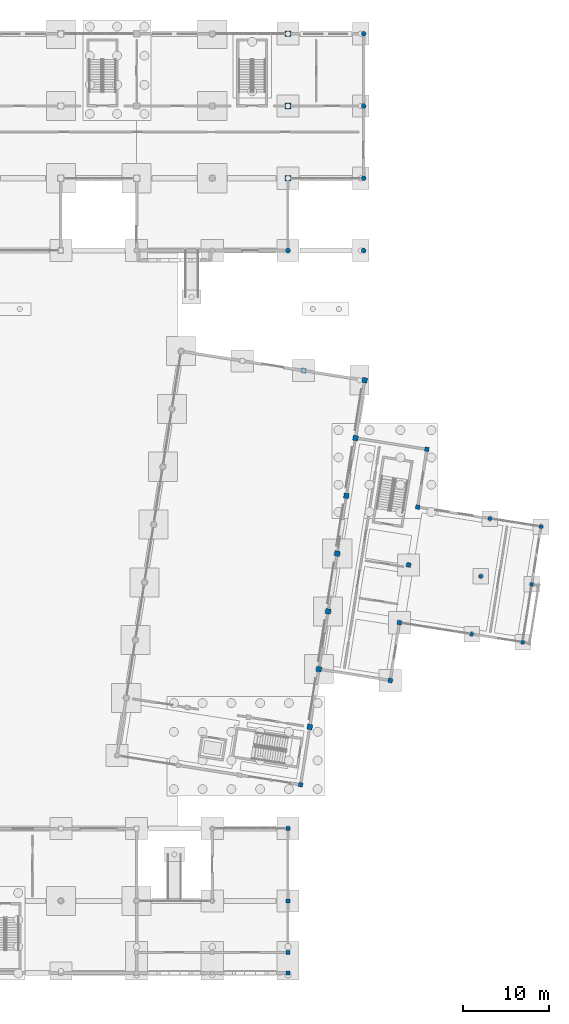
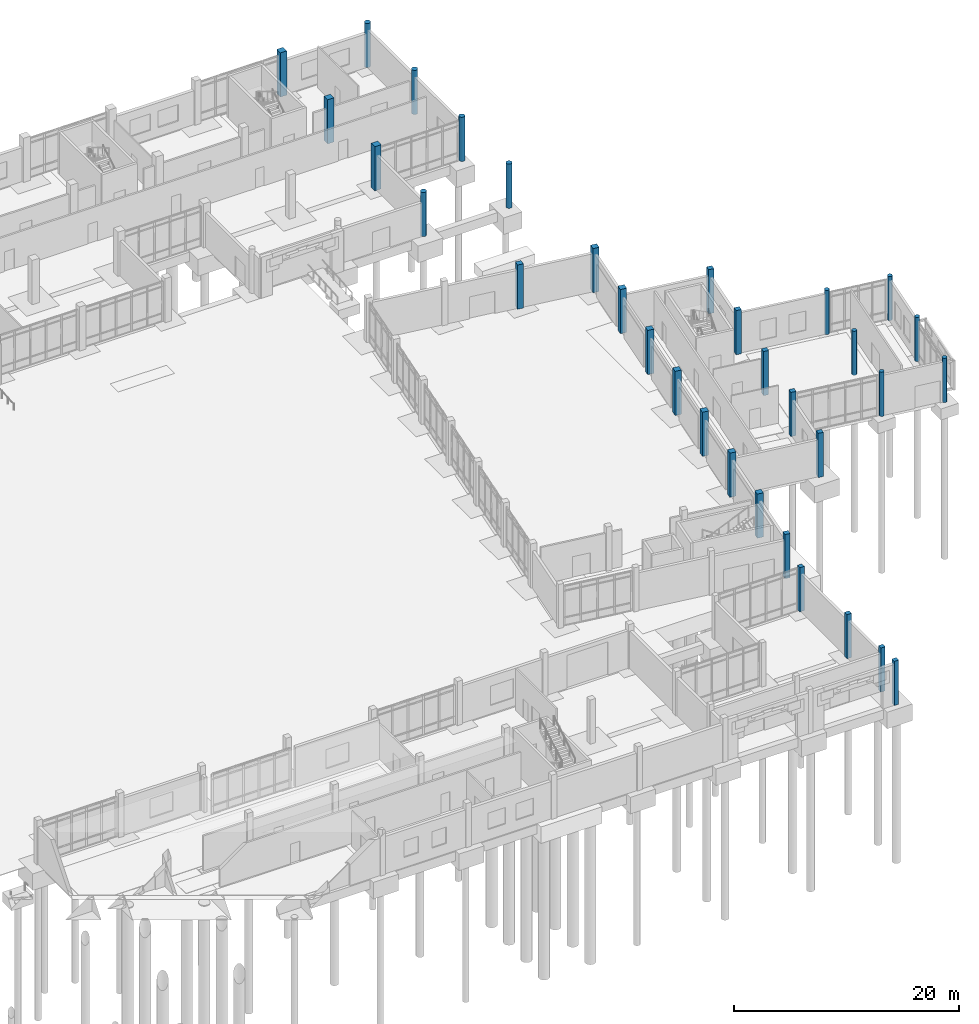
# One storey, part 7 of 72: 32 columns.
"""IFC4 building model written with IfcOpenShell, lengths in metres."""

from ifc_helpers import new_model, si_unit, direction, frame, origin, origin_2d, place, context, subcontext, project, spatial, rectangle, circle, extrude, material, material_profile, profile_set, type_object, element, save


model = new_model("IFC4")

# Units and contexts
model_context = context("Model", 3, precision=1e-05, world=origin(), true_north=direction((0.0, 1.0)))
body_context = subcontext(model_context, "Body", "Model", "MODEL_VIEW")
ifc_project = project(units=[si_unit("LENGTHUNIT", "METRE"), si_unit("AREAUNIT", "SQUARE_METRE"), si_unit("VOLUMEUNIT", "CUBIC_METRE"), si_unit("PLANEANGLEUNIT", "RADIAN"), si_unit("MASSUNIT", "GRAM", prefix="KILO")], contexts=[model_context])

# Site, building, storey
site_placement = place(None, origin())
site = spatial("IfcSite", under=ifc_project, at=site_placement, CompositionType="ELEMENT")
building_placement = place(site_placement, origin())
building = spatial("IfcBuilding", under=site, at=building_placement, Name="Cinderway Yard Community Centre", CompositionType="ELEMENT")
storey_placement = place(building_placement, origin())
storey = spatial("IfcBuildingStorey", under=building, at=storey_placement, Name="L00", CompositionType="ELEMENT", Elevation=0.0)

# Columns
ifc_material = material(Name="Concrete C40/50", Category="concrete")
ifc_material_profile_1 = material_profile(ifc_material, rectangle(XDim=0.449951171875, YDim=0.449951171875, at=origin_2d()), Name="Concrete C40/50")
ifc_profile_set_1 = profile_set([ifc_material_profile_1], Name="Concrete C40/50")
column_type_1 = type_object("IfcColumnType", Name="STR-COL-RC450", PredefinedType="COLUMN", material=ifc_profile_set_1)
for number, where, z_axis, x_axis, name in (
    (1, (136.800048828125, 6.0, 0.0), (0.0, 0.0, 1.0), (1.0, 0.0, 0.0), "Column V5-C-09 L00"),
    (2, (136.800048828125, 8.39990234375, 0.0), (0.0, 0.0, 1.0), (1.0, 0.0, 0.0), "Column V5-C-10 L00"),
    (3, (136.800048828125, 14.39990234375, 0.0), (0.0, 0.0, 1.0), (1.0, 0.0, 0.0), "Column V5-C-11 L00"),
    (4, (136.800048828125, 22.800048828125, 0.0), (0.0, 0.0, 1.0), (1.0, 0.0, 0.0), "Column V5-C-12 L00"),
):
    element("IfcColumn", number, at=place(storey_placement, frame(where, z_axis=z_axis, x_axis=x_axis)), inside=storey, type_object=column_type_1, Name=name, PredefinedType="COLUMN", context=body_context, shape_type="SweptSolid", body=[
        extrude(rectangle(XDim=0.449951171875, YDim=0.449951171875, at=origin_2d()), origin(), (0.0, 0.0, 1.0), 4.800048828125),
    ])
ifc_material_profile_2 = material_profile(ifc_material, rectangle(XDim=0.5, YDim=0.5, at=origin_2d()), Name="Concrete C40/50")
ifc_profile_set_2 = profile_set([ifc_material_profile_2], Name="Concrete C40/50")
column_type_2 = type_object("IfcColumnType", Name="STR-COL-RC500", PredefinedType="COLUMN", material=ifc_profile_set_2)
for number, where, z_axis, x_axis, name in (
    (5, (148.694091796875, 40.02294921875, 0.0), (0.0, 0.0, 1.0), (0.987688340595, -0.15643446504, 0.0), "Column V2-CE-01 L00"),
    (6, (149.758056640625, 46.739990234375, 0.0), (0.0, 0.0, 1.0), (0.987688340595, -0.15643446504, 0.0), "Column V2-CE-02 L00"),
    (7, (150.822021484375, 53.4560546875, 0.0), (0.0, 0.0, 1.0), (0.987688340595, -0.15643446504, 0.0), "Column V2-CE-03 L00"),
    (8, (151.885986328125, 60.172119140625, 0.0), (0.0, 0.0, 1.0), (0.987688340595, -0.15643446504, 0.0), "Column V2-CE-04 L00"),
    (9, (152.948974609375, 66.887939453125, 0.0), (0.0, 0.0, 1.0), (0.987688340595, -0.15643446504, 0.0), "Column V2-CE-05 L00"),
    (10, (138.27001953125, 27.905029296875, 0.0), (0.0, 0.0, 1.0), (0.987688340595, -0.15643446504, 0.0), "Column V2-CS-216 L00"),
):
    element("IfcColumn", number, at=place(storey_placement, frame(where, z_axis=z_axis, x_axis=x_axis)), inside=storey, type_object=column_type_2, Name=name, PredefinedType="COLUMN", context=body_context, shape_type="SweptSolid", body=[
        extrude(rectangle(XDim=0.5, YDim=0.5, at=origin_2d()), origin(), (0.0, 0.0, 1.0), 4.800048828125),
    ])
ifc_material_profile_3 = material_profile(ifc_material, rectangle(XDim=0.550048828125, YDim=0.550048828125, at=origin_2d()), Name="Concrete C40/50")
ifc_profile_set_3 = profile_set([ifc_material_profile_3], Name="Concrete C40/50")
column_type_3 = type_object("IfcColumnType", Name="STR-COL-RC550", PredefinedType="COLUMN", material=ifc_profile_set_3)
column_placement = place(storey_placement, frame((138.60498046875, 76.044921875, 0.0), z_axis=(0.0, 0.0, 1.0), x_axis=(0.987688340595, -0.15643446504, 0.0)))
element("IfcColumn", 11, at=column_placement, inside=storey, type_object=column_type_3, Name="Column V2-GN-144 L00", PredefinedType="COLUMN", context=body_context, shape_type="SweptSolid", body=[
    extrude(rectangle(XDim=0.550048828125, YDim=0.550048828125, at=origin_2d()), origin(), (0.0, 0.0, 1.0), 4.800048828125),
])
ifc_material_profile_4 = material_profile(ifc_material, rectangle(XDim=0.60009765625, YDim=0.60009765625, at=origin_2d()), Name="Concrete C40/50")
ifc_profile_set_4 = profile_set([ifc_material_profile_4], Name="Concrete C40/50")
column_type_4 = type_object("IfcColumnType", Name="STR-COL-RC600", PredefinedType="COLUMN", material=ifc_profile_set_4)
for number, where, z_axis, x_axis, name in (
    (12, (139.333984375, 34.62109375, 0.0), (0.0, 0.0, 1.0), (0.987688340595, -0.15643446504, 0.0), "Column V2-C-E01 L00"),
    (13, (140.39794921875, 41.3369140625, 0.0), (0.0, 0.0, 1.0), (0.987688340595, -0.15643446504, 0.0), "Column V2-C-E02 L00"),
    (14, (141.4619140625, 48.053955078125, 0.0), (0.0, 0.0, 1.0), (0.987688340595, -0.15643446504, 0.0), "Column V2-C-E03 L00"),
    (15, (142.52490234375, 54.77001953125, 0.0), (0.0, 0.0, 1.0), (0.987688340595, -0.15643446504, 0.0), "Column V2-C-E04 L00"),
    (16, (143.589111328125, 61.486083984375, 0.0), (0.0, 0.0, 1.0), (0.987688340595, -0.15643446504, 0.0), "Column V2-C-E05 L00"),
    (17, (144.653076171875, 68.201904296875, 0.0), (0.0, 0.0, 1.0), (0.987688340595, -0.15643446504, 0.0), "Column V2-C-E06 L00"),
    (18, (145.717041015625, 74.9189453125, 0.0), (0.0, 0.0, 1.0), (0.987688340595, -0.15643446504, 0.0), "Column V2-C-E07 L00"),
):
    element("IfcColumn", number, at=place(storey_placement, frame(where, z_axis=z_axis, x_axis=x_axis)), inside=storey, type_object=column_type_4, Name=name, PredefinedType="COLUMN", context=body_context, shape_type="SweptSolid", body=[
        extrude(rectangle(XDim=0.60009765625, YDim=0.60009765625, at=origin_2d()), origin(), (0.0, 0.0, 1.0), 4.800048828125),
    ])
ifc_material_profile_5 = material_profile(ifc_material, rectangle(XDim=0.64990234375, YDim=0.64990234375, at=origin_2d()), Name="Concrete C40/50")
ifc_profile_set_5 = profile_set([ifc_material_profile_5], Name="Concrete C40/50")
column_type_5 = type_object("IfcColumnType", Name="STR-COL-RC650", PredefinedType="COLUMN", material=ifc_profile_set_5)
for number, where, z_axis, x_axis, name in (
    (19, (136.800048828125, 98.39990234375, 0.0), (0.0, 0.0, 1.0), (1.0, 0.0, 0.0), "Column V4-C-12-2 L00"),
    (20, (136.800048828125, 106.800048828125, 0.0), (0.0, 0.0, 1.0), (1.0, 0.0, 0.0), "Column V4-C-12-3 L00"),
    (21, (136.800048828125, 115.199951171875, 0.0), (0.0, 0.0, 1.0), (1.0, 0.0, 0.0), "Column V4-C-12-4 L00"),
):
    element("IfcColumn", number, at=place(storey_placement, frame(where, z_axis=z_axis, x_axis=x_axis)), inside=storey, type_object=column_type_5, Name=name, PredefinedType="COLUMN", context=body_context, shape_type="SweptSolid", body=[
        extrude(rectangle(XDim=0.64990234375, YDim=0.64990234375, at=origin_2d()), origin(), (0.0, 0.0, 1.0), 4.800048828125),
    ])
ifc_material_profile_6 = material_profile(ifc_material, circle(Radius=0.22509765625, at=origin_2d()), Name="Concrete C40/50")
ifc_profile_set_6 = profile_set([ifc_material_profile_6], Name="Concrete C40/50")
column_type_6 = type_object("IfcColumnType", Name="STR-COL-RCD450", PredefinedType="PILASTER", material=ifc_profile_set_6)
for number, where, z_axis, x_axis, name in (
    (22, (158.154052734375, 45.409912109375, 0.0), (0.0, 0.0, 1.0), (0.987688340595, -0.15643446504, 0.0), "Column V2-CP-385-136 L00"),
    (23, (159.217041015625, 52.1259765625, 0.0), (0.0, 0.0, 1.0), (0.987688340595, -0.15643446504, 0.0), "Column V2-CP-385-204 L00"),
    (24, (160.281005859375, 58.842041015625, 0.0), (0.0, 0.0, 1.0), (0.987688340595, -0.15643446504, 0.0), "Column V2-CP-385-272 L00"),
    (25, (164.080078125, 44.470947265625, 0.0), (0.0, 0.0, 1.0), (0.987688340595, -0.15643446504, 0.0), "Column V2-CP-445-136 L00"),
    (26, (165.14306640625, 51.18798828125, 0.0), (0.0, 0.0, 1.0), (0.987688340595, -0.15643446504, 0.0), "Column V2-CP-445-204 L00"),
    (27, (166.20703125, 57.904052734375, 0.0), (0.0, 0.0, 1.0), (0.987688340595, -0.15643446504, 0.0), "Column V2-CP-445-272 L00"),
):
    element("IfcColumn", number, at=place(storey_placement, frame(where, z_axis=z_axis, x_axis=x_axis)), inside=storey, type_object=column_type_6, Name=name, PredefinedType="PILASTER", context=body_context, shape_type="SweptSolid", body=[
        extrude(circle(Radius=0.22509765625, at=origin_2d()), origin(), (0.0, 0.0, 1.0), 4.800048828125),
    ])
ifc_material_profile_7 = material_profile(ifc_material, circle(Radius=0.27490234375, at=origin_2d()), Name="Concrete C40/50")
ifc_profile_set_7 = profile_set([ifc_material_profile_7], Name="Concrete C40/50")
column_type_7 = type_object("IfcColumnType", Name="STR-COL-RCD550", PredefinedType="PILASTER", material=ifc_profile_set_7)
for number, where, z_axis, x_axis, name in (
    (28, (136.800048828125, 90.0, 0.0), (0.0, 0.0, 1.0), (1.0, 0.0, 0.0), "Column V4-C-12-1 L00"),
    (29, (145.60009765625, 90.0, 0.0), (0.0, 0.0, 1.0), (1.0, 0.0, 0.0), "Column V4-C-13-1 L00"),
    (30, (145.60009765625, 98.39990234375, 0.0), (0.0, 0.0, 1.0), (1.0, 0.0, 0.0), "Column V4-C-13-2 L00"),
    (31, (145.60009765625, 106.800048828125, 0.0), (0.0, 0.0, 1.0), (1.0, 0.0, 0.0), "Column V4-C-13-3 L00"),
    (32, (145.60009765625, 115.199951171875, 0.0), (0.0, 0.0, 1.0), (1.0, 0.0, 0.0), "Column V4-C-13-4 L00"),
):
    element("IfcColumn", number, at=place(storey_placement, frame(where, z_axis=z_axis, x_axis=x_axis)), inside=storey, type_object=column_type_7, Name=name, PredefinedType="PILASTER", context=body_context, shape_type="SweptSolid", body=[
        extrude(circle(Radius=0.27490234375, at=origin_2d()), origin(), (0.0, 0.0, 1.0), 4.800048828125),
    ])

save(model, "model.ifc")
